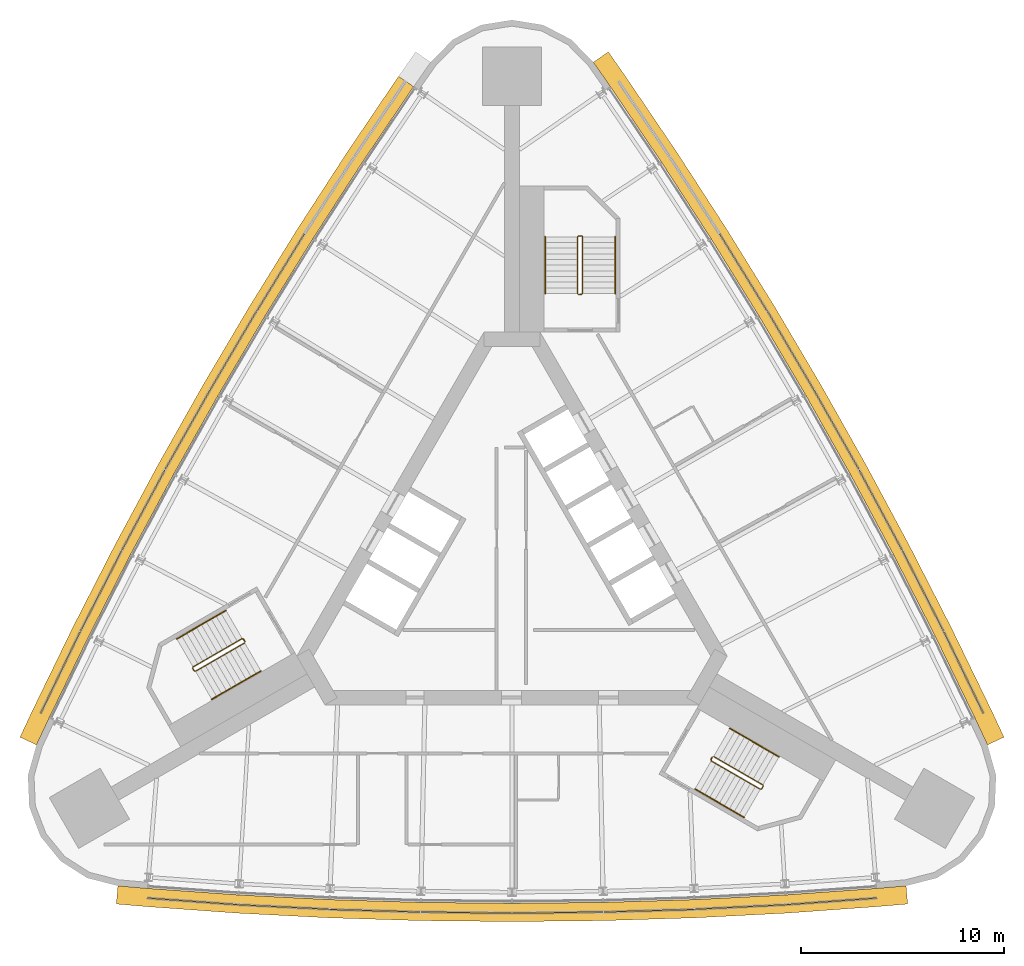
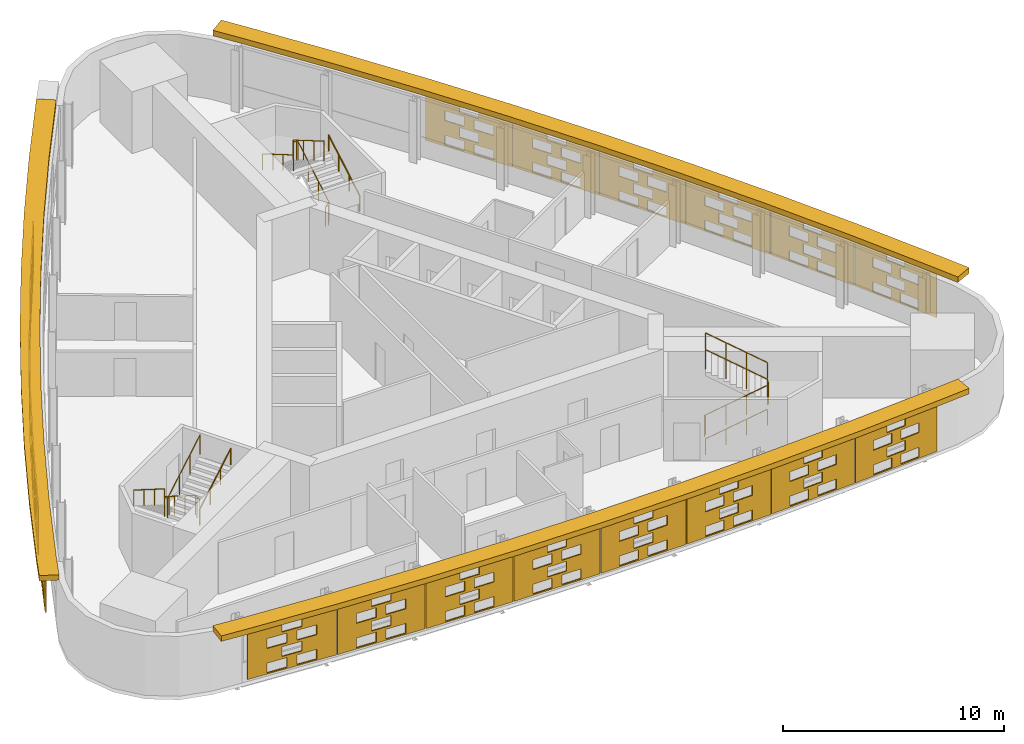
# One storey, part 12 of 13: 23 shading devices, 9 railings.
"""IFC4 building model written with IfcOpenShell, lengths in metres."""

from ifc_helpers import new_model, si_unit, direction, frame, origin, origin_2d, place, context, subcontext, project, spatial, polyline, circle, outline, extrude, material, material_profile, profile_set, type_object, element, save


model = new_model("IFC4")

# Units and contexts
model_context = context("Model", 3, precision=1e-05, world=origin(), true_north=direction((0.0, 1.0)))
body_context = subcontext(model_context, "Body", "Model", "MODEL_VIEW")
ifc_project = project(units=[si_unit("LENGTHUNIT", "METRE"), si_unit("AREAUNIT", "SQUARE_METRE"), si_unit("VOLUMEUNIT", "CUBIC_METRE"), si_unit("PLANEANGLEUNIT", "RADIAN"), si_unit("MASSUNIT", "GRAM", prefix="KILO")], contexts=[model_context])

# Site, building, storey
site_placement = place(None, origin())
site = spatial("IfcSite", under=ifc_project, at=site_placement, CompositionType="ELEMENT")
building_placement = place(site_placement, origin())
building = spatial("IfcBuilding", under=site, at=building_placement, Name="Noor Cloister Tower", CompositionType="ELEMENT")
storey_placement = place(building_placement, frame((0.0, 0.0, 147.300048828125)))
storey = spatial("IfcBuildingStorey", under=building, at=storey_placement, Name="L37", CompositionType="ELEMENT", Elevation=147.300048828125)

# Shading devices
ifc_material_1 = material(Name="Limestone", Category="masonry")
ifc_material_profile = material_profile(ifc_material_1, outline(polyline([(-2.22998046875, -1.35009765625), (2.22998046875, -1.35009765625), (2.22998046875, 1.35009765625), (-2.22998046875, 1.35009765625), (-2.22998046875, -1.35009765625)]), holes=[polyline([(-1.25, -1.282470703125), (-0.25, -1.282470703125), (-0.25, -0.742431640625), (-1.25, -0.742431640625), (-1.25, -1.282470703125)]), polyline([(0.25, -1.282470703125), (1.25, -1.282470703125), (1.25, -0.742431640625), (0.25, -0.742431640625), (0.25, -1.282470703125)]), polyline([(-0.5, -0.607421875), (0.5, -0.607421875), (0.5, -0.0673828125), (-0.5, -0.0673828125), (-0.5, -0.607421875)]), polyline([(-1.25, 0.0673828125), (-0.25, 0.0673828125), (-0.25, 0.607421875), (-1.25, 0.607421875), (-1.25, 0.0673828125)]), polyline([(0.25, 0.0673828125), (1.25, 0.0673828125), (1.25, 0.607421875), (0.25, 0.607421875), (0.25, 0.0673828125)]), polyline([(-0.5, 0.742431640625), (0.5, 0.742431640625), (0.5, 1.282470703125), (-0.5, 1.282470703125), (-0.5, 0.742431640625)])]), Name="Woven screen 30 percent open")
ifc_profile_set = profile_set([ifc_material_profile], Name="Limestone")
shading_device_type_1 = type_object("IfcShadingDeviceType", Name="SCREEN woven limestone 30 percent open", PredefinedType="USERDEFINED", material=ifc_profile_set)
for number, where, z_axis, x_axis, name in (
    (1, (-11.390625, 14.385009765625, 1.849853515625), (-0.850958576931, 0.525232805857, 0.0), (-0.525232805857, -0.850958576931, 0.0), "SCREEN L37 3"),
    (2, (-13.724609375, 10.527099609375, 1.849853515625), (-0.86141148773, 0.507907716822, 0.0), (-0.507907716822, -0.86141148773, 0.0), "SCREEN L37 4"),
    (3, (-15.97900390625, 6.622314453125, 1.849853515625), (-0.87048706901, 0.492191286683, 0.0), (-0.492191286683, -0.87048706901, 0.0), "SCREEN L37 5"),
):
    element("IfcShadingDevice", number, at=place(storey_placement, frame(where, z_axis=z_axis, x_axis=x_axis)), inside=storey, type_object=shading_device_type_1, Name=name, ObjectType="SCREEN", PredefinedType="USERDEFINED", context=body_context, shape_type="SweptSolid", body=[
        extrude(outline(polyline([(-2.22998046875, -1.35009765625), (2.22998046875, -1.35009765625), (2.22998046875, 1.35009765625), (-2.22998046875, 1.35009765625), (-2.22998046875, -1.35009765625)]), holes=[polyline([(-1.25, -1.282470703125), (-0.25, -1.282470703125), (-0.25, -0.742431640625), (-1.25, -0.742431640625), (-1.25, -1.282470703125)]), polyline([(0.25, -1.282470703125), (1.25, -1.282470703125), (1.25, -0.742431640625), (0.25, -0.742431640625), (0.25, -1.282470703125)]), polyline([(-0.5, -0.607421875), (0.5, -0.607421875), (0.5, -0.0673828125), (-0.5, -0.0673828125), (-0.5, -0.607421875)]), polyline([(-1.25, 0.0673828125), (-0.25, 0.0673828125), (-0.25, 0.607421875), (-1.25, 0.607421875), (-1.25, 0.0673828125)]), polyline([(0.25, 0.0673828125), (1.25, 0.0673828125), (1.25, 0.607421875), (0.25, 0.607421875), (0.25, 0.0673828125)]), polyline([(-0.5, 0.742431640625), (0.5, 0.742431640625), (0.5, 1.282470703125), (-0.5, 1.282470703125), (-0.5, 0.742431640625)])]), origin(), (0.0, 0.0, 1.0), 0.06005859375),
    ])
shading_device_1_placement = place(storey_placement, frame((-18.153076171875, 2.672119140625, 1.849853515625), z_axis=(-0.880994429299, 0.473126637957, 0.0), x_axis=(-0.473126637957, -0.880994429299, 0.0)))
element("IfcShadingDevice", 4, at=shading_device_1_placement, inside=storey, type_object=shading_device_type_1, Name="SCREEN L37 6", ObjectType="SCREEN", PredefinedType="USERDEFINED", context=body_context, shape_type="SweptSolid", body=[
    extrude(outline(polyline([(-2.22998046875, -1.35009765625), (2.22998046875, -1.35009765625), (2.22998046875, 1.35009765625), (-2.22998046875, 1.35009765625), (-2.22998046875, -1.35009765625)]), holes=[polyline([(-1.25, -1.282470703125), (-0.25, -1.282470703125), (-0.25, -0.742431640625), (-1.25, -0.742431640625), (-1.25, -1.282470703125)]), polyline([(0.25, -1.282470703125), (1.25, -1.282470703125), (1.25, -0.742431640625), (0.25, -0.742431640625), (0.25, -1.282470703125)]), polyline([(-0.5, -0.607421875), (0.5, -0.607421875), (0.5, -0.0673828125), (-0.5, -0.0673828125), (-0.5, -0.607421875)]), polyline([(-1.25, 0.0673828125), (-0.25, 0.0673828125), (-0.25, 0.607421875), (-1.25, 0.607421875), (-1.25, 0.0673828125)]), polyline([(0.25, 0.0673828125), (1.25, 0.0673828125), (1.25, 0.607421875), (0.25, 0.607421875), (0.25, 0.0673828125)]), polyline([(-0.5, 0.742431640625), (0.5, 0.742431640625), (0.5, 1.282470703125), (-0.5, 1.282470703125), (-0.5, 0.742431640625)])]), origin(), (0.0, 0.0, 1.0), 0.059814453125),
])
for number, where, z_axis, x_axis, name in (
    (5, (-20.245361328125, -1.322021484375, 1.849853515625), (-0.890324823337, 0.455325937049, 0.0), (-0.455325937049, -0.890324823337, 0.0), "SCREEN L37 7"),
    (6, (-22.255615234375, -5.35791015625, 1.849853515625), (-0.900056208046, 0.435773820185, 0.0), (-0.435773820185, -0.900056208046, 0.0), "SCREEN L37 8"),
    (7, (-15.767822265625, -16.594970703125, 1.849853515625), (-0.073271902152, -0.99731200151, 0.0), (0.99731200151, -0.073271902152, 0.0), "SCREEN L37 1"),
    (8, (-11.267578125, -16.8720703125, 1.849853515625), (-0.048722553713, -0.998812351125, 0.0), (0.998812351125, -0.048722553713, 0.0), "SCREEN L37 2"),
    (9, (-6.762451171875, -17.056884765625, 1.849853515625), (-0.028443771376, -0.999595394082, 0.0), (0.999595394082, -0.028443771376, 0.0), "SCREEN L37 3"),
    (10, (-2.25439453125, -17.1494140625, 1.849853515625), (-0.012194215217, -0.999925647793, 0.0), (0.999925647793, -0.012194215217, 0.0), "SCREEN L37 4"),
    (11, (2.25439453125, -17.1494140625, 1.849853515625), (0.012194215217, -0.999925647793, 0.0), (0.999925647793, 0.012194215217, 0.0), "SCREEN L37 5"),
    (12, (6.762451171875, -17.056884765625, 1.849853515625), (0.028443771376, -0.999595394082, 0.0), (0.999595394082, 0.028443771376, 0.0), "SCREEN L37 6"),
    (13, (11.267578125, -16.8720703125, 1.849853515625), (0.048722553713, -0.998812351125, 0.0), (0.998812351125, 0.048722553713, 0.0), "SCREEN L37 7"),
    (14, (15.767822265625, -16.594970703125, 1.849853515625), (0.073271902152, -0.99731200151, 0.0), (0.99731200151, 0.073271902152, 0.0), "SCREEN L37 8"),
    (15, (22.255615234375, -5.35791015625, 1.849853515625), (0.900056208046, 0.435773820185, 0.0), (-0.435773820185, 0.900056208046, 0.0), "SCREEN L37 1"),
    (16, (20.245361328125, -1.322021484375, 1.849853515625), (0.890324823337, 0.455325937049, 0.0), (-0.455325937049, 0.890324823337, 0.0), "SCREEN L37 2"),
):
    element("IfcShadingDevice", number, at=place(storey_placement, frame(where, z_axis=z_axis, x_axis=x_axis)), inside=storey, type_object=shading_device_type_1, Name=name, ObjectType="SCREEN", PredefinedType="USERDEFINED", context=body_context, shape_type="SweptSolid", body=[
        extrude(outline(polyline([(-2.22998046875, -1.35009765625), (2.22998046875, -1.35009765625), (2.22998046875, 1.35009765625), (-2.22998046875, 1.35009765625), (-2.22998046875, -1.35009765625)]), holes=[polyline([(-1.25, -1.282470703125), (-0.25, -1.282470703125), (-0.25, -0.742431640625), (-1.25, -0.742431640625), (-1.25, -1.282470703125)]), polyline([(0.25, -1.282470703125), (1.25, -1.282470703125), (1.25, -0.742431640625), (0.25, -0.742431640625), (0.25, -1.282470703125)]), polyline([(-0.5, -0.607421875), (0.5, -0.607421875), (0.5, -0.0673828125), (-0.5, -0.0673828125), (-0.5, -0.607421875)]), polyline([(-1.25, 0.0673828125), (-0.25, 0.0673828125), (-0.25, 0.607421875), (-1.25, 0.607421875), (-1.25, 0.0673828125)]), polyline([(0.25, 0.0673828125), (1.25, 0.0673828125), (1.25, 0.607421875), (0.25, 0.607421875), (0.25, 0.0673828125)]), polyline([(-0.5, 0.742431640625), (0.5, 0.742431640625), (0.5, 1.282470703125), (-0.5, 1.282470703125), (-0.5, 0.742431640625)])]), origin(), (0.0, 0.0, 1.0), 0.06005859375),
    ])
shading_device_2_placement = place(storey_placement, frame((18.153076171875, 2.672119140625, 1.849853515625), z_axis=(0.880994429299, 0.473126637957, 0.0), x_axis=(-0.473126637957, 0.880994429299, 0.0)))
element("IfcShadingDevice", 17, at=shading_device_2_placement, inside=storey, type_object=shading_device_type_1, Name="SCREEN L37 3", ObjectType="SCREEN", PredefinedType="USERDEFINED", context=body_context, shape_type="SweptSolid", body=[
    extrude(outline(polyline([(-2.22998046875, -1.35009765625), (2.22998046875, -1.35009765625), (2.22998046875, 1.35009765625), (-2.22998046875, 1.35009765625), (-2.22998046875, -1.35009765625)]), holes=[polyline([(-1.25, -1.282470703125), (-0.25, -1.282470703125), (-0.25, -0.742431640625), (-1.25, -0.742431640625), (-1.25, -1.282470703125)]), polyline([(0.25, -1.282470703125), (1.25, -1.282470703125), (1.25, -0.742431640625), (0.25, -0.742431640625), (0.25, -1.282470703125)]), polyline([(-0.5, -0.607421875), (0.5, -0.607421875), (0.5, -0.0673828125), (-0.5, -0.0673828125), (-0.5, -0.607421875)]), polyline([(-1.25, 0.0673828125), (-0.25, 0.0673828125), (-0.25, 0.607421875), (-1.25, 0.607421875), (-1.25, 0.0673828125)]), polyline([(0.25, 0.0673828125), (1.25, 0.0673828125), (1.25, 0.607421875), (0.25, 0.607421875), (0.25, 0.0673828125)]), polyline([(-0.5, 0.742431640625), (0.5, 0.742431640625), (0.5, 1.282470703125), (-0.5, 1.282470703125), (-0.5, 0.742431640625)])]), origin(), (0.0, 0.0, 1.0), 0.059814453125),
])
for number, where, z_axis, x_axis, name in (
    (18, (15.97900390625, 6.622314453125, 1.849853515625), (0.87048706901, 0.492191286683, 0.0), (-0.492191286683, 0.87048706901, 0.0), "SCREEN L37 4"),
    (19, (13.724609375, 10.527099609375, 1.849853515625), (0.86141148773, 0.507907716822, 0.0), (-0.507907716822, 0.86141148773, 0.0), "SCREEN L37 5"),
    (20, (11.390625, 14.385009765625, 1.849853515625), (0.850958576931, 0.525232805857, 0.0), (-0.525232805857, 0.850958576931, 0.0), "SCREEN L37 6"),
):
    element("IfcShadingDevice", number, at=place(storey_placement, frame(where, z_axis=z_axis, x_axis=x_axis)), inside=storey, type_object=shading_device_type_1, Name=name, ObjectType="SCREEN", PredefinedType="USERDEFINED", context=body_context, shape_type="SweptSolid", body=[
        extrude(outline(polyline([(-2.22998046875, -1.35009765625), (2.22998046875, -1.35009765625), (2.22998046875, 1.35009765625), (-2.22998046875, 1.35009765625), (-2.22998046875, -1.35009765625)]), holes=[polyline([(-1.25, -1.282470703125), (-0.25, -1.282470703125), (-0.25, -0.742431640625), (-1.25, -0.742431640625), (-1.25, -1.282470703125)]), polyline([(0.25, -1.282470703125), (1.25, -1.282470703125), (1.25, -0.742431640625), (0.25, -0.742431640625), (0.25, -1.282470703125)]), polyline([(-0.5, -0.607421875), (0.5, -0.607421875), (0.5, -0.0673828125), (-0.5, -0.0673828125), (-0.5, -0.607421875)]), polyline([(-1.25, 0.0673828125), (-0.25, 0.0673828125), (-0.25, 0.607421875), (-1.25, 0.607421875), (-1.25, 0.0673828125)]), polyline([(0.25, 0.0673828125), (1.25, 0.0673828125), (1.25, 0.607421875), (0.25, 0.607421875), (0.25, 0.0673828125)]), polyline([(-0.5, 0.742431640625), (0.5, 0.742431640625), (0.5, 1.282470703125), (-0.5, 1.282470703125), (-0.5, 0.742431640625)])]), origin(), (0.0, 0.0, 1.0), 0.06005859375),
    ])
ifc_material_2 = material(Name="Limestone", Category="masonry")
shading_device_type_2 = type_object("IfcShadingDeviceType", Name="SUNSHADE limestone band 900", PredefinedType="USERDEFINED", material=ifc_material_2)
shading_device_3_placement = place(storey_placement, frame((0.0, 0.0, 3.300048828125)))
element("IfcShadingDevice", 21, at=shading_device_3_placement, inside=storey, type_object=shading_device_type_2, Name="SUNSHADE L37 1", ObjectType="SUNSHADE", PredefinedType="USERDEFINED", context=body_context, shape_type="SweptSolid", body=[
    extrude(outline(polyline([(-5.598388671875, 24.068115234375), (-8.127197265625, 20.334716796875), (-10.583984375, 16.542724609375), (-12.96240234375, 12.700927734375), (-15.261474609375, 8.811279296875), (-17.48046875, 4.875244140625), (-19.618408203125, 0.89453125), (-21.674072265625, -3.12890625), (-23.6455078125, -7.191162109375), (-24.270751953125, -8.525390625), (-23.455810546875, -8.907470703125), (-22.833251953125, -7.57861328125), (-20.868408203125, -3.5302734375), (-18.821044921875, 0.47705078125), (-16.69189453125, 4.44140625), (-14.482177734375, 8.361328125), (-12.1923828125, 12.235107421875), (-9.823486328125, 16.06103515625), (-7.376953125, 19.837646484375), (-4.853271484375, 23.5634765625), (-5.598388671875, 24.068115234375)])), origin(), (0.0, 0.0, 1.0), 0.2998046875),
])
shading_device_4_placement = place(storey_placement, frame((0.0, 0.0, 3.300048828125)))
element("IfcShadingDevice", 22, at=shading_device_4_placement, inside=storey, type_object=shading_device_type_2, Name="SUNSHADE L37 2", ObjectType="SUNSHADE", PredefinedType="USERDEFINED", context=body_context, shape_type="SweptSolid", body=[
    extrude(outline(polyline([(-19.518798828125, -16.75634765625), (-18.050537109375, -16.882080078125), (-13.546875, -17.205810546875), (-9.034423828125, -17.437255859375), (-4.51806640625, -17.576171875), (0.0, -17.62255859375), (4.51806640625, -17.576171875), (9.034423828125, -17.437255859375), (13.546875, -17.205810546875), (18.050537109375, -16.882080078125), (19.518798828125, -16.75634765625), (19.44189453125, -15.859619140625), (17.979736328125, -15.98486328125), (13.491455078125, -16.307373046875), (8.99755859375, -16.5380859375), (4.499755859375, -16.67626953125), (0.0, -16.722412109375), (-4.499755859375, -16.67626953125), (-8.99755859375, -16.5380859375), (-13.491455078125, -16.307373046875), (-17.979736328125, -15.98486328125), (-19.44189453125, -15.859619140625), (-19.518798828125, -16.75634765625)])), origin(), (0.0, 0.0, 1.0), 0.2998046875),
])
shading_device_5_placement = place(storey_placement, frame((0.0, 0.0, 3.300048828125)))
element("IfcShadingDevice", 23, at=shading_device_5_placement, inside=storey, type_object=shading_device_type_2, Name="SUNSHADE L37 3", ObjectType="SUNSHADE", PredefinedType="USERDEFINED", context=body_context, shape_type="SweptSolid", body=[
    extrude(outline(polyline([(24.270751953125, -8.525390625), (23.6455078125, -7.191162109375), (21.674072265625, -3.12890625), (19.618408203125, 0.89453125), (17.48046875, 4.875244140625), (15.261474609375, 8.811279296875), (12.96240234375, 12.700927734375), (10.583984375, 16.542724609375), (8.127197265625, 20.334716796875), (5.594970703125, 24.0732421875), (4.752197265625, 25.281982421875), (4.013916015625, 24.76708984375), (4.853271484375, 23.5634765625), (7.376953125, 19.837646484375), (9.823486328125, 16.06103515625), (12.1923828125, 12.235107421875), (14.482177734375, 8.361328125), (16.69189453125, 4.44140625), (18.821044921875, 0.47705078125), (20.868408203125, -3.5302734375), (22.833251953125, -7.57861328125), (23.455810546875, -8.907470703125), (24.270751953125, -8.525390625)])), origin(), (0.0, 0.0, 1.0), 0.2998046875),
])

# Railings
ifc_material_3 = material(Name="Stainless steel", Category="steel")
railing_type_1 = type_object("IfcRailingType", Name="Stair guard 1100", PredefinedType="GUARDRAIL", material=ifc_material_3)
railing_1_placement = place(storey_placement, frame((3.435546875, 13.306396484375, 0.0)))
element("IfcRailing", 24, at=railing_1_placement, inside=storey, type_object=railing_type_1, Name="Stair guard ST1 L37", PredefinedType="GUARDRAIL", context=body_context, shape_type="SweptSolid", body=[
    extrude(circle(Radius=0.02392578125, at=origin_2d()), frame((0.0, 0.0, 1.076171875), z_axis=(-1.0, 0.0, 0.0), x_axis=(0.0, -1.0, 0.0)), (0.0, 0.0, 1.0), 0.14990234375),
    extrude(circle(Radius=0.02392578125, at=origin_2d()), frame((-0.14990234375, 0.0, 1.076171875), z_axis=(0.759870394187, 0.190199549216, 0.621627795), x_axis=(-0.242814311512, 0.970072785993, 0.0)), (0.0, 0.0, 1.0), 0.26318359375),
    extrude(circle(Radius=0.02392578125, at=origin_2d()), frame((0.050048828125, 0.050048828125, 1.23974609375), z_axis=(0.0, 0.863360870873, 0.504586966384), x_axis=(-1.0, 0.0, 0.0)), (0.0, 0.0, 1.0), 3.2431640625),
    extrude(circle(Radius=0.02392578125, at=origin_2d()), frame((0.050048828125, 2.85009765625, 2.8759765625), z_axis=(-0.708833529934, 0.705375805398, 0.0), x_axis=(-0.705375805398, -0.708833529934, 0.0)), (0.0, 0.0, 1.0), 0.070556640625),
    extrude(circle(Radius=0.02392578125, at=origin_2d()), frame((0.0, 2.89990234375, 2.8759765625), z_axis=(-1.0, 0.0, 0.0), x_axis=(0.0, -1.0, 0.0)), (0.0, 0.0, 1.0), 0.14990234375),
    extrude(circle(Radius=0.02392578125, at=origin_2d()), frame((-0.14990234375, 2.89990234375, 2.8759765625), z_axis=(-0.280916556609, -0.279546231943, 0.91811752648), x_axis=(0.705375805398, -0.708833529934, 0.0)), (0.0, 0.0, 1.0), 0.17822265625),
    extrude(circle(Radius=0.02392578125, at=origin_2d()), frame((-0.199951171875, 2.85009765625, 3.03955078125), z_axis=(0.0, -0.863393664356, 0.504530851732), x_axis=(1.0, 0.0, 0.0)), (0.0, 0.0, 1.0), 3.2431640625),
    extrude(circle(Radius=0.02099609375, at=origin_2d()), origin(), (0.0, 0.0, 1.0), 1.052001953125),
    extrude(circle(Radius=0.02099609375, at=origin_2d()), frame((-0.14990234375, 0.0, 0.0)), (0.0, 0.0, 1.0), 1.052001953125),
    extrude(circle(Radius=0.02099609375, at=origin_2d()), frame((0.050048828125, 0.050048828125, 0.16357421875)), (0.0, 0.0, 1.0), 1.052001953125),
    extrude(circle(Radius=0.02099609375, at=origin_2d()), frame((0.050048828125, 0.9833984375, 0.708984375)), (0.0, 0.0, 1.0), 1.052001953125),
    extrude(circle(Radius=0.02099609375, at=origin_2d()), frame((0.050048828125, 1.916748046875, 1.254638671875)), (0.0, 0.0, 1.0), 1.052001953125),
    extrude(circle(Radius=0.02099609375, at=origin_2d()), frame((0.050048828125, 2.85009765625, 1.800048828125)), (0.0, 0.0, 1.0), 1.052001953125),
    extrude(circle(Radius=0.02099609375, at=origin_2d()), frame((0.0, 2.89990234375, 1.800048828125)), (0.0, 0.0, 1.0), 1.052001953125),
    extrude(circle(Radius=0.02099609375, at=origin_2d()), frame((-0.14990234375, 2.89990234375, 1.800048828125)), (0.0, 0.0, 1.0), 1.052001953125),
    extrude(circle(Radius=0.02099609375, at=origin_2d()), frame((-0.199951171875, 2.85009765625, 1.963623046875)), (0.0, 0.0, 1.0), 1.052001953125),
    extrude(circle(Radius=0.02099609375, at=origin_2d()), frame((-0.199951171875, 1.916748046875, 2.509033203125)), (0.0, 0.0, 1.0), 1.052001953125),
    extrude(circle(Radius=0.02099609375, at=origin_2d()), frame((-0.199951171875, 0.9833984375, 3.054443359375)), (0.0, 0.0, 1.0), 1.052001953125),
    extrude(circle(Radius=0.02099609375, at=origin_2d()), frame((-0.199951171875, 0.050048828125, 3.599853515625)), (0.0, 0.0, 1.0), 1.052001953125),
])
railing_2_placement = place(storey_placement, frame((-13.241455078125, -3.677734375, 0.0)))
element("IfcRailing", 25, at=railing_2_placement, inside=storey, type_object=railing_type_1, Name="Stair guard ST2 L37", PredefinedType="GUARDRAIL", context=body_context, shape_type="SweptSolid", body=[
    extrude(circle(Radius=0.02392578125, at=origin_2d()), frame((0.0, 0.0, 1.076171875), z_axis=(0.499112439033, -0.866537231285, 0.0), x_axis=(0.866537231285, 0.499112439033, 0.0)), (0.0, 0.0, 1.0), 0.150146484375),
    extrude(circle(Radius=0.02392578125, at=origin_2d()), frame((0.074951171875, -0.130126953125, 1.076171875), z_axis=(-0.544565797804, 0.563119998752, 0.621565731736), x_axis=(-0.718850276695, -0.695164929852, 0.0)), (0.0, 0.0, 1.0), 0.26318359375),
    extrude(circle(Radius=0.02392578125, at=origin_2d()), frame((-0.068359375, 0.01806640625, 1.23974609375), z_axis=(-0.747689811644, -0.431660630283, 0.504607813879), x_axis=(0.49998411664, -0.866034573852, 0.0)), (0.0, 0.0, 1.0), 3.2431640625),
    extrude(circle(Radius=0.02392578125, at=origin_2d()), frame((-2.4931640625, -1.3818359375, 2.8759765625), z_axis=(-0.258736085224, -0.965948051503, 0.0), x_axis=(0.965948051503, -0.258736085224, 0.0)), (0.0, 0.0, 1.0), 0.07080078125),
    extrude(circle(Radius=0.02392578125, at=origin_2d()), frame((-2.511474609375, -1.4501953125, 2.8759765625), z_axis=(0.499816412211, -0.866131372301, 0.0), x_axis=(0.866131372301, 0.499816412211, 0.0)), (0.0, 0.0, 1.0), 0.14990234375),
    extrude(circle(Radius=0.02392578125, at=origin_2d()), frame((-2.4365234375, -1.580078125, 2.8759765625), z_axis=(0.383552647116, -0.102737316192, 0.917786691313), x_axis=(0.258736085224, 0.965948051503, 0.0)), (0.0, 0.0, 1.0), 0.17822265625),
    extrude(circle(Radius=0.02392578125, at=origin_2d()), frame((-2.3681640625, -1.598388671875, 3.03955078125), z_axis=(0.747693913401, 0.431738279637, 0.504535300807), x_axis=(-0.500049511043, 0.865996816683, 0.0)), (0.0, 0.0, 1.0), 3.2431640625),
    extrude(circle(Radius=0.02099609375, at=origin_2d()), origin(), (0.0, 0.0, 1.0), 1.052001953125),
    extrude(circle(Radius=0.02099609375, at=origin_2d()), frame((0.074951171875, -0.130126953125, 0.0)), (0.0, 0.0, 1.0), 1.052001953125),
    extrude(circle(Radius=0.02099609375, at=origin_2d()), frame((-0.068359375, 0.01806640625, 0.16357421875)), (0.0, 0.0, 1.0), 1.052001953125),
    extrude(circle(Radius=0.02099609375, at=origin_2d()), frame((-0.876708984375, -0.448486328125, 0.708984375)), (0.0, 0.0, 1.0), 1.052001953125),
    extrude(circle(Radius=0.02099609375, at=origin_2d()), frame((-1.684814453125, -0.915283203125, 1.254638671875)), (0.0, 0.0, 1.0), 1.052001953125),
    extrude(circle(Radius=0.02099609375, at=origin_2d()), frame((-2.4931640625, -1.3818359375, 1.800048828125)), (0.0, 0.0, 1.0), 1.052001953125),
    extrude(circle(Radius=0.02099609375, at=origin_2d()), frame((-2.511474609375, -1.4501953125, 1.800048828125)), (0.0, 0.0, 1.0), 1.052001953125),
    extrude(circle(Radius=0.02099609375, at=origin_2d()), frame((-2.4365234375, -1.580078125, 1.800048828125)), (0.0, 0.0, 1.0), 1.052001953125),
    extrude(circle(Radius=0.02099609375, at=origin_2d()), frame((-2.3681640625, -1.598388671875, 1.963623046875)), (0.0, 0.0, 1.0), 1.052001953125),
    extrude(circle(Radius=0.02099609375, at=origin_2d()), frame((-1.559814453125, -1.131591796875, 2.509033203125)), (0.0, 0.0, 1.0), 1.052001953125),
    extrude(circle(Radius=0.02099609375, at=origin_2d()), frame((-0.751708984375, -0.6650390625, 3.054443359375)), (0.0, 0.0, 1.0), 1.052001953125),
    extrude(circle(Radius=0.02099609375, at=origin_2d()), frame((0.056640625, -0.1982421875, 3.599853515625)), (0.0, 0.0, 1.0), 1.052001953125),
])
railing_3_placement = place(storey_placement, frame((9.805908203125, -9.628662109375, 0.0)))
element("IfcRailing", 26, at=railing_3_placement, inside=storey, type_object=railing_type_1, Name="Stair guard ST3 L37", PredefinedType="GUARDRAIL", context=body_context, shape_type="SweptSolid", body=[
    extrude(circle(Radius=0.02392578125, at=origin_2d()), frame((0.0, 0.0, 1.076171875), z_axis=(0.499112439033, 0.866537231285, 0.0), x_axis=(-0.866537231285, 0.499112439033, 0.0)), (0.0, 0.0, 1.0), 0.150146484375),
    extrude(circle(Radius=0.02392578125, at=origin_2d()), frame((0.074951171875, 0.130126953125, 1.076171875), z_axis=(-0.215214839654, -0.753251938789, 0.621525614518), x_axis=(0.961523947641, -0.274721127897, 0.0)), (0.0, 0.0, 1.0), 0.26318359375),
    extrude(circle(Radius=0.02392578125, at=origin_2d()), frame((0.018310546875, -0.068115234375, 1.23974609375), z_axis=(0.747665513933, -0.431721881032, 0.504591415616), x_axis=(0.500049511043, 0.865996816683, 0.0)), (0.0, 0.0, 1.0), 3.2431640625),
    extrude(circle(Radius=0.02392578125, at=origin_2d()), frame((2.443115234375, -1.46826171875, 2.8759765625), z_axis=(0.965948051503, 0.258736085224, 0.0), x_axis=(-0.258736085224, 0.965948051503, 0.0)), (0.0, 0.0, 1.0), 0.07080078125),
    extrude(circle(Radius=0.02392578125, at=origin_2d()), frame((2.511474609375, -1.449951171875, 2.8759765625), z_axis=(0.499816412211, 0.866131372301, 0.0), x_axis=(-0.866131372301, 0.499816412211, 0.0)), (0.0, 0.0, 1.0), 0.14990234375),
    extrude(circle(Radius=0.02392578125, at=origin_2d()), frame((2.58642578125, -1.320068359375, 2.8759765625), z_axis=(-0.102737316192, 0.383552647116, 0.917786691313), x_axis=(-0.965948051503, -0.258736085224, 0.0)), (0.0, 0.0, 1.0), 0.17822265625),
    extrude(circle(Radius=0.02392578125, at=origin_2d()), frame((2.568115234375, -1.251708984375, 3.03955078125), z_axis=(-0.74771821388, 0.431677027627, 0.504551698492), x_axis=(-0.49998411664, -0.866034573852, 0.0)), (0.0, 0.0, 1.0), 3.242919921875),
    extrude(circle(Radius=0.02099609375, at=origin_2d()), origin(), (0.0, 0.0, 1.0), 1.052001953125),
    extrude(circle(Radius=0.02099609375, at=origin_2d()), frame((0.074951171875, 0.130126953125, 0.0)), (0.0, 0.0, 1.0), 1.052001953125),
    extrude(circle(Radius=0.02099609375, at=origin_2d()), frame((0.018310546875, -0.068115234375, 0.16357421875)), (0.0, 0.0, 1.0), 1.052001953125),
    extrude(circle(Radius=0.02099609375, at=origin_2d()), frame((0.82666015625, -0.534912109375, 0.708984375)), (0.0, 0.0, 1.0), 1.052001953125),
    extrude(circle(Radius=0.02099609375, at=origin_2d()), frame((1.634765625, -1.00146484375, 1.254638671875)), (0.0, 0.0, 1.0), 1.052001953125),
    extrude(circle(Radius=0.02099609375, at=origin_2d()), frame((2.443115234375, -1.46826171875, 1.800048828125)), (0.0, 0.0, 1.0), 1.052001953125),
    extrude(circle(Radius=0.02099609375, at=origin_2d()), frame((2.511474609375, -1.449951171875, 1.800048828125)), (0.0, 0.0, 1.0), 1.052001953125),
    extrude(circle(Radius=0.02099609375, at=origin_2d()), frame((2.58642578125, -1.320068359375, 1.800048828125)), (0.0, 0.0, 1.0), 1.052001953125),
    extrude(circle(Radius=0.02099609375, at=origin_2d()), frame((2.568115234375, -1.251708984375, 1.963623046875)), (0.0, 0.0, 1.0), 1.052001953125),
    extrude(circle(Radius=0.02099609375, at=origin_2d()), frame((1.759765625, -0.78515625, 2.509033203125)), (0.0, 0.0, 1.0), 1.052001953125),
    extrude(circle(Radius=0.02099609375, at=origin_2d()), frame((0.95166015625, -0.318359375, 3.054443359375)), (0.0, 0.0, 1.0), 1.052001953125),
    extrude(circle(Radius=0.02099609375, at=origin_2d()), frame((0.143310546875, 0.148193359375, 3.599853515625)), (0.0, 0.0, 1.0), 1.052001953125),
])
ifc_material_4 = material(Name="Stainless steel", Category="steel")
railing_type_2 = type_object("IfcRailingType", Name="Stair handrail 900", PredefinedType="HANDRAIL", material=ifc_material_4)
railing_4_placement = place(storey_placement, frame((5.085693359375, 13.3564453125, 0.16357421875)))
element("IfcRailing", 27, at=railing_4_placement, inside=storey, type_object=railing_type_2, Name="Stair handrail ST1 L37 1", PredefinedType="HANDRAIL", context=body_context, shape_type="SweptSolid", body=[
    extrude(circle(Radius=0.02392578125, at=origin_2d()), frame((0.0, 0.0, 0.8759765625), z_axis=(0.0, 0.863360870873, 0.504586966384), x_axis=(-1.0, 0.0, 0.0)), (0.0, 0.0, 1.0), 3.2431640625),
    extrude(circle(Radius=0.02099609375, at=origin_2d()), origin(), (0.0, 0.0, 1.0), 0.851806640625),
    extrude(circle(Radius=0.02099609375, at=origin_2d()), frame((0.0, 0.933349609375, 0.54541015625)), (0.0, 0.0, 1.0), 0.851806640625),
    extrude(circle(Radius=0.02099609375, at=origin_2d()), frame((0.0, 1.86669921875, 1.091064453125)), (0.0, 0.0, 1.0), 0.851806640625),
    extrude(circle(Radius=0.02099609375, at=origin_2d()), frame((0.0, 2.800048828125, 1.636474609375)), (0.0, 0.0, 1.0), 0.851806640625),
])
railing_5_placement = place(storey_placement, frame((1.6357421875, 16.156494140625, 1.963623046875)))
element("IfcRailing", 28, at=railing_5_placement, inside=storey, type_object=railing_type_2, Name="Stair handrail ST1 L37 2", PredefinedType="HANDRAIL", context=body_context, shape_type="SweptSolid", body=[
    extrude(circle(Radius=0.02392578125, at=origin_2d()), frame((0.0, 0.0, 0.8759765625), z_axis=(0.0, -0.863393664356, 0.504530851732), x_axis=(1.0, 0.0, 0.0)), (0.0, 0.0, 1.0), 3.2431640625),
    extrude(circle(Radius=0.02099609375, at=origin_2d()), origin(), (0.0, 0.0, 1.0), 0.851806640625),
    extrude(circle(Radius=0.02099609375, at=origin_2d()), frame((0.0, -0.933349609375, 0.54541015625)), (0.0, 0.0, 1.0), 0.851806640625),
    extrude(circle(Radius=0.02099609375, at=origin_2d()), frame((0.0, -1.86669921875, 1.0908203125)), (0.0, 0.0, 1.0), 0.851806640625),
    extrude(circle(Radius=0.02099609375, at=origin_2d()), frame((0.0, -2.800048828125, 1.63623046875)), (0.0, 0.0, 1.0), 0.851806640625),
])
railing_6_placement = place(storey_placement, frame((-14.10986328125, -2.27392578125, 0.16357421875)))
element("IfcRailing", 29, at=railing_6_placement, inside=storey, type_object=railing_type_2, Name="Stair handrail ST2 L37 1", PredefinedType="HANDRAIL", context=body_context, shape_type="SweptSolid", body=[
    extrude(circle(Radius=0.02392578125, at=origin_2d()), frame((0.0, 0.0, 0.8759765625), z_axis=(-0.747689811644, -0.431660630283, 0.504607813879), x_axis=(0.49998411664, -0.866034573852, 0.0)), (0.0, 0.0, 1.0), 3.2431640625),
    extrude(circle(Radius=0.02099609375, at=origin_2d()), origin(), (0.0, 0.0, 1.0), 0.851806640625),
    extrude(circle(Radius=0.02099609375, at=origin_2d()), frame((-0.808349609375, -0.466552734375, 0.54541015625)), (0.0, 0.0, 1.0), 0.851806640625),
    extrude(circle(Radius=0.02099609375, at=origin_2d()), frame((-1.616455078125, -0.933349609375, 1.091064453125)), (0.0, 0.0, 1.0), 0.851806640625),
    extrude(circle(Radius=0.02099609375, at=origin_2d()), frame((-2.4248046875, -1.39990234375, 1.636474609375)), (0.0, 0.0, 1.0), 0.851806640625),
])
railing_7_placement = place(storey_placement, frame((-14.8095703125, -6.66162109375, 1.963623046875)))
element("IfcRailing", 30, at=railing_7_placement, inside=storey, type_object=railing_type_2, Name="Stair handrail ST2 L37 2", PredefinedType="HANDRAIL", context=body_context, shape_type="SweptSolid", body=[
    extrude(circle(Radius=0.02392578125, at=origin_2d()), frame((0.0, 0.0, 0.8759765625), z_axis=(0.74771821388, 0.431677027627, 0.504551698492), x_axis=(-0.49998411664, 0.866034573852, 0.0)), (0.0, 0.0, 1.0), 3.242919921875),
    extrude(circle(Radius=0.02099609375, at=origin_2d()), origin(), (0.0, 0.0, 1.0), 0.851806640625),
    extrude(circle(Radius=0.02099609375, at=origin_2d()), frame((0.808349609375, 0.466552734375, 0.54541015625)), (0.0, 0.0, 1.0), 0.851806640625),
    extrude(circle(Radius=0.02099609375, at=origin_2d()), frame((1.616455078125, 0.933349609375, 1.0908203125)), (0.0, 0.0, 1.0), 0.851806640625),
    extrude(circle(Radius=0.02099609375, at=origin_2d()), frame((2.4248046875, 1.39990234375, 1.63623046875)), (0.0, 0.0, 1.0), 0.851806640625),
])
railing_8_placement = place(storey_placement, frame((9.024169921875, -11.08251953125, 0.16357421875)))
element("IfcRailing", 31, at=railing_8_placement, inside=storey, type_object=railing_type_2, Name="Stair handrail ST3 L37 1", PredefinedType="HANDRAIL", context=body_context, shape_type="SweptSolid", body=[
    extrude(circle(Radius=0.02392578125, at=origin_2d()), frame((0.0, 0.0, 0.8759765625), z_axis=(0.747689811644, -0.431660630283, 0.504607813879), x_axis=(0.49998411664, 0.866034573852, 0.0)), (0.0, 0.0, 1.0), 3.2431640625),
    extrude(circle(Radius=0.02099609375, at=origin_2d()), origin(), (0.0, 0.0, 1.0), 0.851806640625),
    extrude(circle(Radius=0.02099609375, at=origin_2d()), frame((0.808349609375, -0.466552734375, 0.54541015625)), (0.0, 0.0, 1.0), 0.851806640625),
    extrude(circle(Radius=0.02099609375, at=origin_2d()), frame((1.616455078125, -0.933349609375, 1.091064453125)), (0.0, 0.0, 1.0), 0.851806640625),
    extrude(circle(Radius=0.02099609375, at=origin_2d()), frame((2.4248046875, -1.39990234375, 1.636474609375)), (0.0, 0.0, 1.0), 0.851806640625),
])
railing_9_placement = place(storey_placement, frame((13.174072265625, -9.49462890625, 1.963623046875)))
element("IfcRailing", 32, at=railing_9_placement, inside=storey, type_object=railing_type_2, Name="Stair handrail ST3 L37 2", PredefinedType="HANDRAIL", context=body_context, shape_type="SweptSolid", body=[
    extrude(circle(Radius=0.02392578125, at=origin_2d()), frame((0.0, 0.0, 0.8759765625), z_axis=(-0.74771821388, 0.431677027627, 0.504551698492), x_axis=(-0.49998411664, -0.866034573852, 0.0)), (0.0, 0.0, 1.0), 3.242919921875),
    extrude(circle(Radius=0.02099609375, at=origin_2d()), origin(), (0.0, 0.0, 1.0), 0.851806640625),
    extrude(circle(Radius=0.02099609375, at=origin_2d()), frame((-0.808349609375, 0.466552734375, 0.54541015625)), (0.0, 0.0, 1.0), 0.851806640625),
    extrude(circle(Radius=0.02099609375, at=origin_2d()), frame((-1.616455078125, 0.933349609375, 1.0908203125)), (0.0, 0.0, 1.0), 0.851806640625),
    extrude(circle(Radius=0.02099609375, at=origin_2d()), frame((-2.4248046875, 1.39990234375, 1.63623046875)), (0.0, 0.0, 1.0), 0.851806640625),
])

save(model, "model.ifc")
